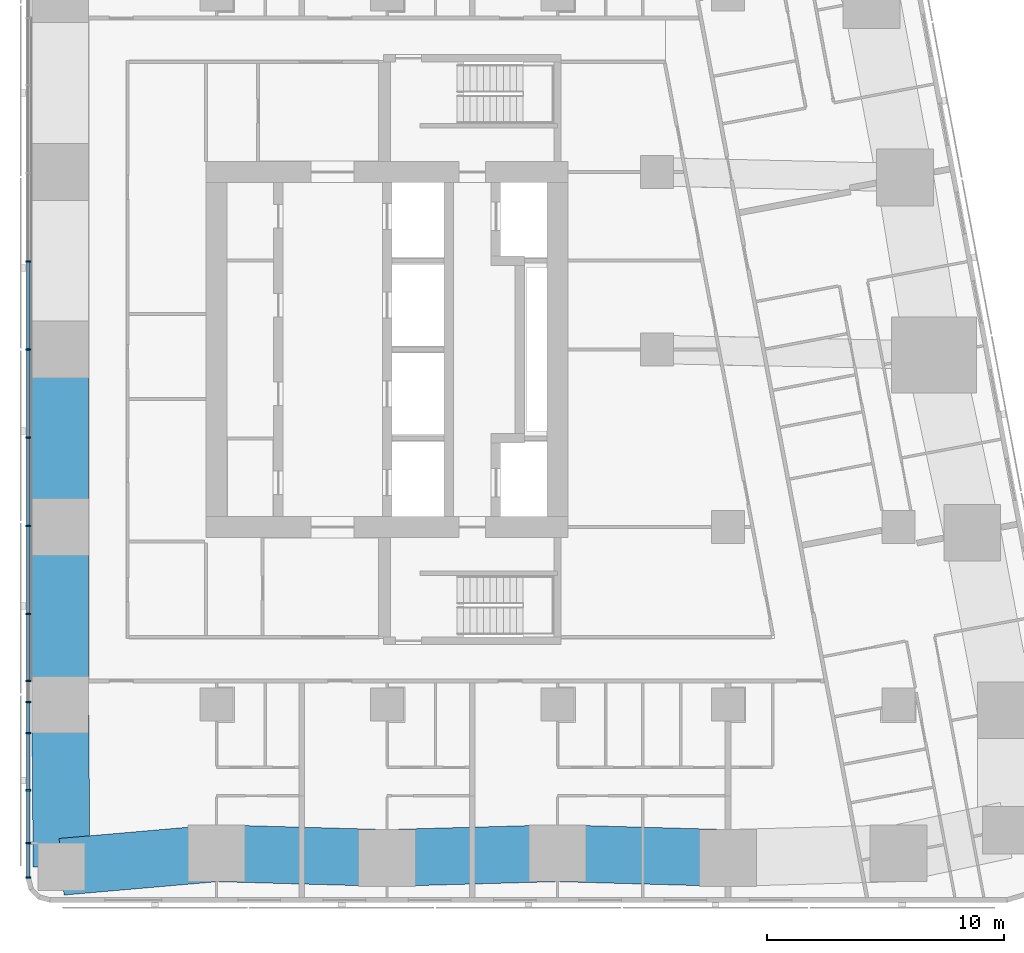
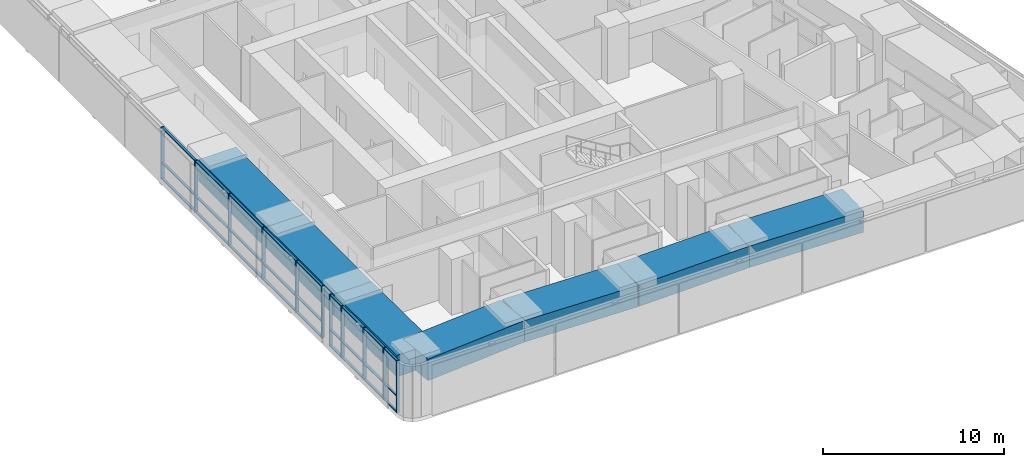
# One storey, part 2 of 17: 38 members, 7 beams, 1 element without a shape of its own.
"""IFC4 building model written with IfcOpenShell, lengths in metres."""

from ifc_helpers import new_model, si_unit, direction, frame, origin, origin_2d, place, context, subcontext, project, spatial, rectangle, extrude, material, material_profile, profile_set, type_object, element, aggregate, save


model = new_model("IFC4")

# Units and contexts
model_context = context("Model", 3, precision=1e-05, world=origin(), true_north=direction((0.0, 1.0)))
body_context = subcontext(model_context, "Body", "Model", "MODEL_VIEW")
ifc_project = project(units=[si_unit("LENGTHUNIT", "METRE"), si_unit("AREAUNIT", "SQUARE_METRE"), si_unit("VOLUMEUNIT", "CUBIC_METRE"), si_unit("PLANEANGLEUNIT", "RADIAN"), si_unit("MASSUNIT", "GRAM", prefix="KILO")], contexts=[model_context])

# Site, building, storey
site_placement = place(None, origin())
site = spatial("IfcSite", under=ifc_project, at=site_placement, CompositionType="ELEMENT")
building_placement = place(site_placement, origin())
building = spatial("IfcBuilding", under=site, at=building_placement, Name="Sheger Commons Tower", CompositionType="ELEMENT")
storey_placement = place(building_placement, frame((0.0, 0.0, 212.449951171875)))
storey = spatial("IfcBuildingStorey", under=building, at=storey_placement, Name="L54", CompositionType="ELEMENT", Elevation=212.449951171875)

# Curtain wall, members
ifc_material_1 = material(Name="Black aluminium curtain wall, dark tinted glazing", Category="aluminium")
curtain_wall_type = type_object("IfcCurtainWallType", Name="CURTAIN WALL CW4 GALLERY", PredefinedType="USERDEFINED", material=ifc_material_1)
curtain_wall_placement = place(storey_placement, origin())
curtain_wall = element("IfcCurtainWall", 1, at=curtain_wall_placement, inside=storey, type_object=curtain_wall_type, Name="Curtain Wall Cw4 Gallery W1 L54", ObjectType="UNITISED CURTAIN WALL", PredefinedType="USERDEFINED")
ifc_material_2 = material(Name="Black anodised aluminium", Category="aluminium")
ifc_material_profile_1 = material_profile(ifc_material_2, rectangle(XDim=0.199951171875, YDim=0.06494140625, at=origin_2d()), Name="AL 65x200")
ifc_profile_set_1 = profile_set([ifc_material_profile_1], Name="Black anodised aluminium")
member_type_1 = type_object("IfcMemberType", Name="MULLION AL 65x200", PredefinedType="MULLION", material=ifc_profile_set_1)
member_1_placement = place(storey_placement, frame((6.449951171875, 26.222900390625, 0.0), z_axis=(0.0, 0.0, 1.0), x_axis=(1.0, 0.0, 0.0)))
member_1 = element("IfcMember", 2, at=member_1_placement, type_object=member_type_1, Name="CW4 mullion 9", PredefinedType="MULLION", context=body_context, shape_type="SweptSolid", body=[
    extrude(rectangle(XDim=0.199951171875, YDim=0.06494140625, at=origin_2d()), origin(), (0.0, 0.0, 1.0), 3.5),
])
member_2_placement = place(storey_placement, frame((6.449951171875, 22.5, 0.0), z_axis=(0.0, 0.0, 1.0), x_axis=(1.0, 0.0, 0.0)))
member_2 = element("IfcMember", 3, at=member_2_placement, type_object=member_type_1, Name="CW4 mullion 10", PredefinedType="MULLION", context=body_context, shape_type="SweptSolid", body=[
    extrude(rectangle(XDim=0.199951171875, YDim=0.06494140625, at=origin_2d()), origin(), (0.0, 0.0, 1.0), 3.5),
])
member_3_placement = place(storey_placement, frame((6.449951171875, 18.777099609375, 0.0), z_axis=(0.0, 0.0, 1.0), x_axis=(1.0, 0.0, 0.0)))
member_3 = element("IfcMember", 4, at=member_3_placement, type_object=member_type_1, Name="CW4 mullion 11", PredefinedType="MULLION", context=body_context, shape_type="SweptSolid", body=[
    extrude(rectangle(XDim=0.199951171875, YDim=0.06494140625, at=origin_2d()), origin(), (0.0, 0.0, 1.0), 3.5),
])
member_4_placement = place(storey_placement, frame((6.449951171875, 15.053955078125, 0.0), z_axis=(0.0, 0.0, 1.0), x_axis=(1.0, 0.0, 0.0)))
member_4 = element("IfcMember", 5, at=member_4_placement, type_object=member_type_1, Name="CW4 mullion 12", PredefinedType="MULLION", context=body_context, shape_type="SweptSolid", body=[
    extrude(rectangle(XDim=0.199951171875, YDim=0.06494140625, at=origin_2d()), origin(), (0.0, 0.0, 1.0), 3.5),
])
member_5_placement = place(storey_placement, frame((6.449951171875, 11.3310546875, 0.0), z_axis=(0.0, 0.0, 1.0), x_axis=(1.0, 0.0, 0.0)))
member_5 = element("IfcMember", 6, at=member_5_placement, type_object=member_type_1, Name="CW4 mullion 13", PredefinedType="MULLION", context=body_context, shape_type="SweptSolid", body=[
    extrude(rectangle(XDim=0.199951171875, YDim=0.06494140625, at=origin_2d()), origin(), (0.0, 0.0, 1.0), 3.5),
])
member_6_placement = place(storey_placement, frame((6.449951171875, 8.5, 0.0), z_axis=(0.0, 0.0, 1.0), x_axis=(1.0, 0.0, 0.0)))
member_6 = element("IfcMember", 7, at=member_6_placement, type_object=member_type_1, Name="CW4 mullion 14", PredefinedType="MULLION", context=body_context, shape_type="SweptSolid", body=[
    extrude(rectangle(XDim=0.199951171875, YDim=0.06494140625, at=origin_2d()), origin(), (0.0, 0.0, 1.0), 3.5),
])
member_7_placement = place(storey_placement, frame((6.449951171875, 7.60888671875, 0.0), z_axis=(0.0, 0.0, 1.0), x_axis=(1.0, 0.0, 0.0)))
member_7 = element("IfcMember", 8, at=member_7_placement, type_object=member_type_1, Name="CW4 mullion 15", PredefinedType="MULLION", context=body_context, shape_type="SweptSolid", body=[
    extrude(rectangle(XDim=0.199951171875, YDim=0.06494140625, at=origin_2d()), origin(), (0.0, 0.0, 1.0), 3.5),
])
member_8_placement = place(storey_placement, frame((6.449951171875, 6.300048828125, 0.0), z_axis=(0.0, 0.0, 1.0), x_axis=(1.0, 0.0, 0.0)))
member_8 = element("IfcMember", 9, at=member_8_placement, type_object=member_type_1, Name="CW4 mullion 16", PredefinedType="MULLION", context=body_context, shape_type="SweptSolid", body=[
    extrude(rectangle(XDim=0.199951171875, YDim=0.06494140625, at=origin_2d()), origin(), (0.0, 0.0, 1.0), 3.5),
])
member_9_placement = place(storey_placement, frame((6.449951171875, 3.885986328125, 0.0), z_axis=(0.0, 0.0, 1.0), x_axis=(1.0, 0.0, 0.0)))
member_9 = element("IfcMember", 10, at=member_9_placement, type_object=member_type_1, Name="CW4 mullion 17", PredefinedType="MULLION", context=body_context, shape_type="SweptSolid", body=[
    extrude(rectangle(XDim=0.199951171875, YDim=0.06494140625, at=origin_2d()), origin(), (0.0, 0.0, 1.0), 3.5),
])
member_10_placement = place(storey_placement, frame((6.449951171875, 1.654052734375, 0.0), z_axis=(0.0, 0.0, 1.0), x_axis=(1.0, 0.0, 0.0)))
member_10 = element("IfcMember", 11, at=member_10_placement, type_object=member_type_1, Name="CW4 mullion 18", PredefinedType="MULLION", context=body_context, shape_type="SweptSolid", body=[
    extrude(rectangle(XDim=0.199951171875, YDim=0.06494140625, at=origin_2d()), origin(), (0.0, 0.0, 1.0), 3.5),
])
member_11_placement = place(storey_placement, frame((6.449951171875, 0.195556640625, 0.0), z_axis=(0.0, 0.0, 1.0), x_axis=(1.0, 0.0, 0.0)))
member_11 = element("IfcMember", 12, at=member_11_placement, type_object=member_type_1, Name="CW4 mullion 19", PredefinedType="MULLION", context=body_context, shape_type="SweptSolid", body=[
    extrude(rectangle(XDim=0.199951171875, YDim=0.06494140625, at=origin_2d()), origin(), (0.0, 0.0, 1.0), 3.5),
])

# Beams
ifc_material_3 = material(Name="Concrete C50/60", Category="concrete")
ifc_material_profile_2 = material_profile(ifc_material_3, rectangle(XDim=2.39990234375, YDim=1.449951171875, at=origin_2d()), Name="RC 2400x1450")
ifc_profile_set_2 = profile_set([ifc_material_profile_2], Name="Concrete C50/60")
beam_type = type_object("IfcBeamType", Name="SPANDREL RC 2400x1450", PredefinedType="SPANDREL", material=ifc_profile_set_2)
beam_1_placement = place(storey_placement, frame((7.85400390625, 0.654052734375, 2.775146484375), z_axis=(0.996216429799, 0.086906990501, 0.0), x_axis=(-0.086906990501, 0.996216429799, 0.0)))
element("IfcBeam", 13, at=beam_1_placement, inside=storey, type_object=beam_type, Name="Beam 2/A-3/A under L55", PredefinedType="SPANDREL", context=body_context, shape_type="SweptSolid", body=[
    extrude(rectangle(XDim=2.39990234375, YDim=1.449951171875, at=origin_2d()), origin(), (0.0, 0.0, 1.0), 6.57080078125),
])
beam_2_placement = place(storey_placement, frame((14.39990234375, 1.22509765625, 2.775146484375), z_axis=(0.999613688584, -0.027793409217, 0.0), x_axis=(0.027793409217, 0.999613688584, 0.0)))
element("IfcBeam", 14, at=beam_2_placement, inside=storey, type_object=beam_type, Name="Beam 3/A-4/A under L55", PredefinedType="SPANDREL", context=body_context, shape_type="SweptSolid", body=[
    extrude(rectangle(XDim=2.39990234375, YDim=1.449951171875, at=origin_2d()), origin(), (0.0, 0.0, 1.0), 7.202880859375),
])
for number, where, z_axis, x_axis, name in (
    (15, (21.60009765625, 1.02490234375, 2.775146484375), (0.9996136624, 0.027794350926, 0.0), (-0.027794350926, 0.9996136624, 0.0), "Beam 4/A-5/A under L55"),
    (16, (28.800048828125, 1.22509765625, 2.775146484375), (0.9996136624, -0.027794350926, 0.0), (0.027794350926, 0.9996136624, 0.0), "Beam 5/A-6/A under L55"),
):
    element("IfcBeam", number, at=place(storey_placement, frame(where, z_axis=z_axis, x_axis=x_axis)), inside=storey, type_object=beam_type, Name=name, PredefinedType="SPANDREL", context=body_context, shape_type="SweptSolid", body=[
        extrude(rectangle(XDim=2.39990234375, YDim=1.449951171875, at=origin_2d()), origin(), (0.0, 0.0, 1.0), 7.20263671875),
    ])
for number, where, z_axis, x_axis, name in (
    (17, (7.800048828125, 22.5, 2.775146484375), (0.0, -1.0, 0.0), (1.0, 0.0, 0.0), "Beam 2/D-2/C under L55"),
    (18, (7.800048828125, 15.0, 2.775146484375), (0.0, -1.0, 0.0), (1.0, 0.0, 0.0), "Beam 2/C-2/B under L55"),
):
    element("IfcBeam", number, at=place(storey_placement, frame(where, z_axis=z_axis, x_axis=x_axis)), inside=storey, type_object=beam_type, Name=name, PredefinedType="SPANDREL", context=body_context, shape_type="SweptSolid", body=[
        extrude(rectangle(XDim=2.39990234375, YDim=1.449951171875, at=origin_2d()), origin(), (0.0, 0.0, 1.0), 7.5),
    ])
beam_3_placement = place(storey_placement, frame((7.800048828125, 7.5, 2.775146484375), z_axis=(0.00788107188, -0.999968943871, 0.0), x_axis=(0.999968943871, 0.00788107188, 0.0)))
element("IfcBeam", 19, at=beam_3_placement, inside=storey, type_object=beam_type, Name="Beam 2/B-2/A under L55", PredefinedType="SPANDREL", context=body_context, shape_type="SweptSolid", body=[
    extrude(rectangle(XDim=2.39990234375, YDim=1.449951171875, at=origin_2d()), origin(), (0.0, 0.0, 1.0), 6.84619140625),
])

# Member
ifc_material_4 = material(Name="Black anodised aluminium", Category="aluminium")
ifc_material_profile_3 = material_profile(ifc_material_4, rectangle(XDim=0.14990234375, YDim=0.06494140625, at=origin_2d()), Name="AL 65x150")
ifc_profile_set_3 = profile_set([ifc_material_profile_3], Name="Black anodised aluminium")
member_type_2 = type_object("IfcMemberType", Name="TRANSOM AL 65x150", PredefinedType="USERDEFINED", material=ifc_profile_set_3)
member_12_placement = place(storey_placement, frame((6.449951171875, 26.1904296875, 0.032470703125), z_axis=(0.0, -1.0, 0.0), x_axis=(1.0, 0.0, 0.0)))
member_12 = element("IfcMember", 20, at=member_12_placement, type_object=member_type_2, Name="CW4 transom 9.1", ObjectType="TRANSOM", PredefinedType="USERDEFINED", context=body_context, shape_type="SweptSolid", body=[
    extrude(rectangle(XDim=0.14990234375, YDim=0.06494140625, at=origin_2d()), origin(), (0.0, 0.0, 1.0), 3.657958984375),
])

member_13_placement = place(storey_placement, frame((6.449951171875, 26.1904296875, 1.10009765625), z_axis=(0.0, -1.0, 0.0), x_axis=(1.0, 0.0, 0.0)))
member_13 = element("IfcMember", 21, at=member_13_placement, type_object=member_type_2, Name="CW4 transom 9.2", ObjectType="TRANSOM", PredefinedType="USERDEFINED", context=body_context, shape_type="SweptSolid", body=[
    extrude(rectangle(XDim=0.14990234375, YDim=0.06494140625, at=origin_2d()), origin(), (0.0, 0.0, 1.0), 3.657958984375),
])

member_14_placement = place(storey_placement, frame((6.449951171875, 26.1904296875, 3.467529296875), z_axis=(0.0, -1.0, 0.0), x_axis=(1.0, 0.0, 0.0)))
member_14 = element("IfcMember", 22, at=member_14_placement, type_object=member_type_2, Name="CW4 transom 9.3", ObjectType="TRANSOM", PredefinedType="USERDEFINED", context=body_context, shape_type="SweptSolid", body=[
    extrude(rectangle(XDim=0.14990234375, YDim=0.06494140625, at=origin_2d()), origin(), (0.0, 0.0, 1.0), 3.657958984375),
])

member_15_placement = place(storey_placement, frame((6.449951171875, 22.467529296875, 0.032470703125), z_axis=(0.0, -1.0, 0.0), x_axis=(1.0, 0.0, 0.0)))
member_15 = element("IfcMember", 23, at=member_15_placement, type_object=member_type_2, Name="CW4 transom 10.1", ObjectType="TRANSOM", PredefinedType="USERDEFINED", context=body_context, shape_type="SweptSolid", body=[
    extrude(rectangle(XDim=0.14990234375, YDim=0.06494140625, at=origin_2d()), origin(), (0.0, 0.0, 1.0), 3.657958984375),
])

member_16_placement = place(storey_placement, frame((6.449951171875, 22.467529296875, 1.10009765625), z_axis=(0.0, -1.0, 0.0), x_axis=(1.0, 0.0, 0.0)))
member_16 = element("IfcMember", 24, at=member_16_placement, type_object=member_type_2, Name="CW4 transom 10.2", ObjectType="TRANSOM", PredefinedType="USERDEFINED", context=body_context, shape_type="SweptSolid", body=[
    extrude(rectangle(XDim=0.14990234375, YDim=0.06494140625, at=origin_2d()), origin(), (0.0, 0.0, 1.0), 3.657958984375),
])

member_17_placement = place(storey_placement, frame((6.449951171875, 22.467529296875, 3.467529296875), z_axis=(0.0, -1.0, 0.0), x_axis=(1.0, 0.0, 0.0)))
member_17 = element("IfcMember", 25, at=member_17_placement, type_object=member_type_2, Name="CW4 transom 10.3", ObjectType="TRANSOM", PredefinedType="USERDEFINED", context=body_context, shape_type="SweptSolid", body=[
    extrude(rectangle(XDim=0.14990234375, YDim=0.06494140625, at=origin_2d()), origin(), (0.0, 0.0, 1.0), 3.657958984375),
])

member_18_placement = place(storey_placement, frame((6.449951171875, 18.744384765625, 0.032470703125), z_axis=(0.0, -1.0, 0.0), x_axis=(1.0, 0.0, 0.0)))
member_18 = element("IfcMember", 26, at=member_18_placement, type_object=member_type_2, Name="CW4 transom 11.1", ObjectType="TRANSOM", PredefinedType="USERDEFINED", context=body_context, shape_type="SweptSolid", body=[
    extrude(rectangle(XDim=0.14990234375, YDim=0.06494140625, at=origin_2d()), origin(), (0.0, 0.0, 1.0), 3.657958984375),
])

member_19_placement = place(storey_placement, frame((6.449951171875, 18.744384765625, 1.10009765625), z_axis=(0.0, -1.0, 0.0), x_axis=(1.0, 0.0, 0.0)))
member_19 = element("IfcMember", 27, at=member_19_placement, type_object=member_type_2, Name="CW4 transom 11.2", ObjectType="TRANSOM", PredefinedType="USERDEFINED", context=body_context, shape_type="SweptSolid", body=[
    extrude(rectangle(XDim=0.14990234375, YDim=0.06494140625, at=origin_2d()), origin(), (0.0, 0.0, 1.0), 3.657958984375),
])

member_20_placement = place(storey_placement, frame((6.449951171875, 18.744384765625, 3.467529296875), z_axis=(0.0, -1.0, 0.0), x_axis=(1.0, 0.0, 0.0)))
member_20 = element("IfcMember", 28, at=member_20_placement, type_object=member_type_2, Name="CW4 transom 11.3", ObjectType="TRANSOM", PredefinedType="USERDEFINED", context=body_context, shape_type="SweptSolid", body=[
    extrude(rectangle(XDim=0.14990234375, YDim=0.06494140625, at=origin_2d()), origin(), (0.0, 0.0, 1.0), 3.657958984375),
])

member_21_placement = place(storey_placement, frame((6.449951171875, 15.021484375, 0.032470703125), z_axis=(0.0, -1.0, 0.0), x_axis=(1.0, 0.0, 0.0)))
member_21 = element("IfcMember", 29, at=member_21_placement, type_object=member_type_2, Name="CW4 transom 12.1", ObjectType="TRANSOM", PredefinedType="USERDEFINED", context=body_context, shape_type="SweptSolid", body=[
    extrude(rectangle(XDim=0.14990234375, YDim=0.06494140625, at=origin_2d()), origin(), (0.0, 0.0, 1.0), 3.657958984375),
])

member_22_placement = place(storey_placement, frame((6.449951171875, 15.021484375, 1.10009765625), z_axis=(0.0, -1.0, 0.0), x_axis=(1.0, 0.0, 0.0)))
member_22 = element("IfcMember", 30, at=member_22_placement, type_object=member_type_2, Name="CW4 transom 12.2", ObjectType="TRANSOM", PredefinedType="USERDEFINED", context=body_context, shape_type="SweptSolid", body=[
    extrude(rectangle(XDim=0.14990234375, YDim=0.06494140625, at=origin_2d()), origin(), (0.0, 0.0, 1.0), 3.657958984375),
])

member_23_placement = place(storey_placement, frame((6.449951171875, 15.021484375, 3.467529296875), z_axis=(0.0, -1.0, 0.0), x_axis=(1.0, 0.0, 0.0)))
member_23 = element("IfcMember", 31, at=member_23_placement, type_object=member_type_2, Name="CW4 transom 12.3", ObjectType="TRANSOM", PredefinedType="USERDEFINED", context=body_context, shape_type="SweptSolid", body=[
    extrude(rectangle(XDim=0.14990234375, YDim=0.06494140625, at=origin_2d()), origin(), (0.0, 0.0, 1.0), 3.657958984375),
])

member_24_placement = place(storey_placement, frame((6.449951171875, 11.298583984375, 0.032470703125), z_axis=(0.0, -1.0, 0.0), x_axis=(1.0, 0.0, 0.0)))
member_24 = element("IfcMember", 32, at=member_24_placement, type_object=member_type_2, Name="CW4 transom 13.1", ObjectType="TRANSOM", PredefinedType="USERDEFINED", context=body_context, shape_type="SweptSolid", body=[
    extrude(rectangle(XDim=0.14990234375, YDim=0.06494140625, at=origin_2d()), origin(), (0.0, 0.0, 1.0), 2.76611328125),
])

member_25_placement = place(storey_placement, frame((6.449951171875, 11.298583984375, 1.10009765625), z_axis=(0.0, -1.0, 0.0), x_axis=(1.0, 0.0, 0.0)))
member_25 = element("IfcMember", 33, at=member_25_placement, type_object=member_type_2, Name="CW4 transom 13.2", ObjectType="TRANSOM", PredefinedType="USERDEFINED", context=body_context, shape_type="SweptSolid", body=[
    extrude(rectangle(XDim=0.14990234375, YDim=0.06494140625, at=origin_2d()), origin(), (0.0, 0.0, 1.0), 2.76611328125),
])

member_26_placement = place(storey_placement, frame((6.449951171875, 11.298583984375, 3.467529296875), z_axis=(0.0, -1.0, 0.0), x_axis=(1.0, 0.0, 0.0)))
member_26 = element("IfcMember", 34, at=member_26_placement, type_object=member_type_2, Name="CW4 transom 13.3", ObjectType="TRANSOM", PredefinedType="USERDEFINED", context=body_context, shape_type="SweptSolid", body=[
    extrude(rectangle(XDim=0.14990234375, YDim=0.06494140625, at=origin_2d()), origin(), (0.0, 0.0, 1.0), 2.76611328125),
])

member_27_placement = place(storey_placement, frame((6.449951171875, 7.576416015625, 0.032470703125), z_axis=(0.0, -1.0, 0.0), x_axis=(1.0, 0.0, 0.0)))
member_27 = element("IfcMember", 35, at=member_27_placement, type_object=member_type_2, Name="CW4 transom 15.1", ObjectType="TRANSOM", PredefinedType="USERDEFINED", context=body_context, shape_type="SweptSolid", body=[
    extrude(rectangle(XDim=0.14990234375, YDim=0.06494140625, at=origin_2d()), origin(), (0.0, 0.0, 1.0), 1.243896484375),
])

member_28_placement = place(storey_placement, frame((6.449951171875, 7.576416015625, 1.10009765625), z_axis=(0.0, -1.0, 0.0), x_axis=(1.0, 0.0, 0.0)))
member_28 = element("IfcMember", 36, at=member_28_placement, type_object=member_type_2, Name="CW4 transom 15.2", ObjectType="TRANSOM", PredefinedType="USERDEFINED", context=body_context, shape_type="SweptSolid", body=[
    extrude(rectangle(XDim=0.14990234375, YDim=0.06494140625, at=origin_2d()), origin(), (0.0, 0.0, 1.0), 1.243896484375),
])

member_29_placement = place(storey_placement, frame((6.449951171875, 7.576416015625, 3.467529296875), z_axis=(0.0, -1.0, 0.0), x_axis=(1.0, 0.0, 0.0)))
member_29 = element("IfcMember", 37, at=member_29_placement, type_object=member_type_2, Name="CW4 transom 15.3", ObjectType="TRANSOM", PredefinedType="USERDEFINED", context=body_context, shape_type="SweptSolid", body=[
    extrude(rectangle(XDim=0.14990234375, YDim=0.06494140625, at=origin_2d()), origin(), (0.0, 0.0, 1.0), 1.243896484375),
])

member_30_placement = place(storey_placement, frame((6.449951171875, 6.267578125, 0.032470703125), z_axis=(0.0, -1.0, 0.0), x_axis=(1.0, 0.0, 0.0)))
member_30 = element("IfcMember", 38, at=member_30_placement, type_object=member_type_2, Name="CW4 transom 16.1", ObjectType="TRANSOM", PredefinedType="USERDEFINED", context=body_context, shape_type="SweptSolid", body=[
    extrude(rectangle(XDim=0.14990234375, YDim=0.06494140625, at=origin_2d()), origin(), (0.0, 0.0, 1.0), 2.34912109375),
])

member_31_placement = place(storey_placement, frame((6.449951171875, 6.267578125, 1.10009765625), z_axis=(0.0, -1.0, 0.0), x_axis=(1.0, 0.0, 0.0)))
member_31 = element("IfcMember", 39, at=member_31_placement, type_object=member_type_2, Name="CW4 transom 16.2", ObjectType="TRANSOM", PredefinedType="USERDEFINED", context=body_context, shape_type="SweptSolid", body=[
    extrude(rectangle(XDim=0.14990234375, YDim=0.06494140625, at=origin_2d()), origin(), (0.0, 0.0, 1.0), 2.34912109375),
])

member_32_placement = place(storey_placement, frame((6.449951171875, 6.267578125, 3.467529296875), z_axis=(0.0, -1.0, 0.0), x_axis=(1.0, 0.0, 0.0)))
member_32 = element("IfcMember", 40, at=member_32_placement, type_object=member_type_2, Name="CW4 transom 16.3", ObjectType="TRANSOM", PredefinedType="USERDEFINED", context=body_context, shape_type="SweptSolid", body=[
    extrude(rectangle(XDim=0.14990234375, YDim=0.06494140625, at=origin_2d()), origin(), (0.0, 0.0, 1.0), 2.34912109375),
])

member_33_placement = place(storey_placement, frame((6.449951171875, 3.853515625, 0.032470703125), z_axis=(0.0, -1.0, 0.0), x_axis=(1.0, 0.0, 0.0)))
member_33 = element("IfcMember", 41, at=member_33_placement, type_object=member_type_2, Name="CW4 transom 17.1", ObjectType="TRANSOM", PredefinedType="USERDEFINED", context=body_context, shape_type="SweptSolid", body=[
    extrude(rectangle(XDim=0.14990234375, YDim=0.06494140625, at=origin_2d()), origin(), (0.0, 0.0, 1.0), 2.1669921875),
])

member_34_placement = place(storey_placement, frame((6.449951171875, 3.853515625, 1.10009765625), z_axis=(0.0, -1.0, 0.0), x_axis=(1.0, 0.0, 0.0)))
member_34 = element("IfcMember", 42, at=member_34_placement, type_object=member_type_2, Name="CW4 transom 17.2", ObjectType="TRANSOM", PredefinedType="USERDEFINED", context=body_context, shape_type="SweptSolid", body=[
    extrude(rectangle(XDim=0.14990234375, YDim=0.06494140625, at=origin_2d()), origin(), (0.0, 0.0, 1.0), 2.1669921875),
])

member_35_placement = place(storey_placement, frame((6.449951171875, 3.853515625, 3.467529296875), z_axis=(0.0, -1.0, 0.0), x_axis=(1.0, 0.0, 0.0)))
member_35 = element("IfcMember", 43, at=member_35_placement, type_object=member_type_2, Name="CW4 transom 17.3", ObjectType="TRANSOM", PredefinedType="USERDEFINED", context=body_context, shape_type="SweptSolid", body=[
    extrude(rectangle(XDim=0.14990234375, YDim=0.06494140625, at=origin_2d()), origin(), (0.0, 0.0, 1.0), 2.1669921875),
])

member_36_placement = place(storey_placement, frame((6.449951171875, 1.62158203125, 0.032470703125), z_axis=(0.0, -1.0, 0.0), x_axis=(1.0, 0.0, 0.0)))
member_36 = element("IfcMember", 44, at=member_36_placement, type_object=member_type_2, Name="CW4 transom 18.1", ObjectType="TRANSOM", PredefinedType="USERDEFINED", context=body_context, shape_type="SweptSolid", body=[
    extrude(rectangle(XDim=0.14990234375, YDim=0.06494140625, at=origin_2d()), origin(), (0.0, 0.0, 1.0), 1.3935546875),
])

member_37_placement = place(storey_placement, frame((6.449951171875, 1.62158203125, 1.10009765625), z_axis=(0.0, -1.0, 0.0), x_axis=(1.0, 0.0, 0.0)))
member_37 = element("IfcMember", 45, at=member_37_placement, type_object=member_type_2, Name="CW4 transom 18.2", ObjectType="TRANSOM", PredefinedType="USERDEFINED", context=body_context, shape_type="SweptSolid", body=[
    extrude(rectangle(XDim=0.14990234375, YDim=0.06494140625, at=origin_2d()), origin(), (0.0, 0.0, 1.0), 1.3935546875),
])

member_38_placement = place(storey_placement, frame((6.449951171875, 1.62158203125, 3.467529296875), z_axis=(0.0, -1.0, 0.0), x_axis=(1.0, 0.0, 0.0)))
member_38 = element("IfcMember", 46, at=member_38_placement, type_object=member_type_2, Name="CW4 transom 18.3", ObjectType="TRANSOM", PredefinedType="USERDEFINED", context=body_context, shape_type="SweptSolid", body=[
    extrude(rectangle(XDim=0.14990234375, YDim=0.06494140625, at=origin_2d()), origin(), (0.0, 0.0, 1.0), 1.3935546875),
])

aggregate(curtain_wall, [member_1, member_2, member_3, member_4, member_5, member_6, member_7, member_8, member_9, member_10, member_11, member_12, member_13, member_14, member_15, member_16, member_17, member_18, member_19, member_20, member_21, member_22, member_23, member_24, member_25, member_26, member_27, member_28, member_29, member_30, member_31, member_32, member_33, member_34, member_35, member_36, member_37, member_38])

save(model, "model.ifc")
